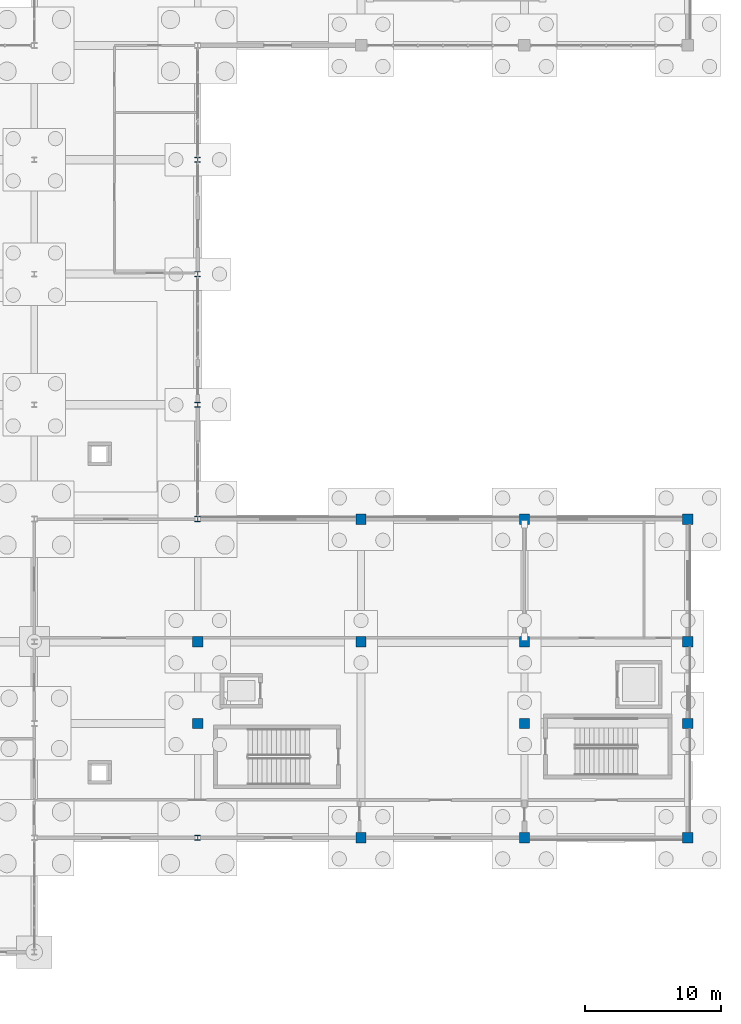
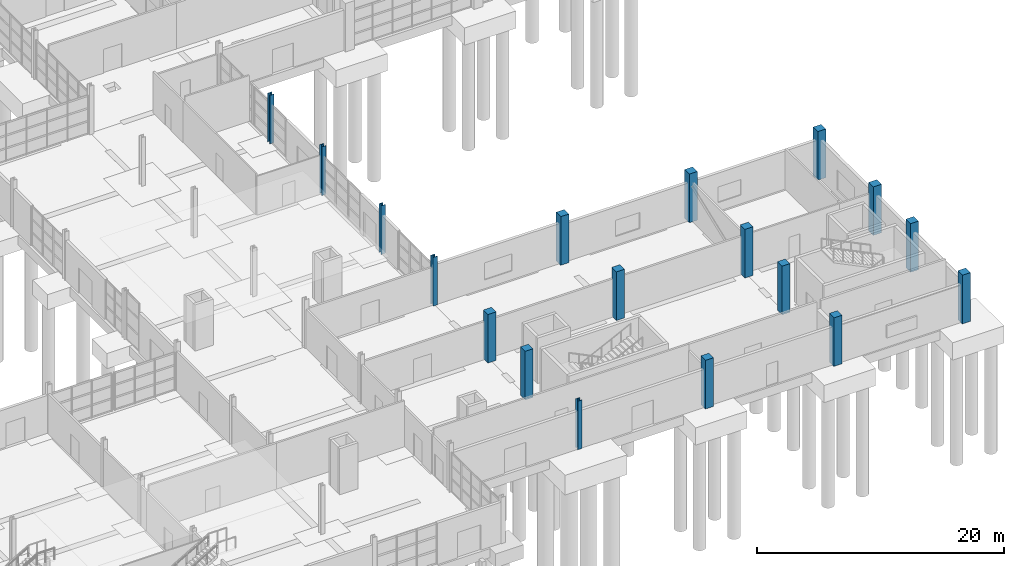
# One storey, part 15 of 82: 18 columns.
"""IFC4 building model written with IfcOpenShell, lengths in metres."""

import ifcopenshell
import ifcopenshell.guid

model = None  # the IFC model being written
_history = None  # IfcOwnerHistory: only IFC2X3 demands one
_inside = {}  # id of a spatial element -> (the spatial element, [elements in it])
_under = {}  # id of a project, library or spatial element -> (it, [spatial elements below it])
_declared = {}  # id of a project -> (the project, [libraries it declares])
_typed = {}  # id of a type object -> (the type object, [elements of that type])
_made_of = {}  # id of a material, layer set ... -> (it, [elements and type objects made of it])


def new_model(schema):
    """Start an empty IFC model of exactly this schema.

    Asked for "IFC4X3", IfcOpenShell would pick the latest addendum, in which some entities
    have other attributes; the version numbers below select the first issue.
    IFC2X3 requires an IfcOwnerHistory on every rooted entity: one is made here for all.
    """
    global model, _history
    if schema == "IFC4X3":
        model = ifcopenshell.file(schema_version=(4, 3, 0, 0))
    else:
        model = ifcopenshell.file(schema=schema)
    _inside.clear()
    _under.clear()
    _declared.clear()
    _typed.clear()
    _made_of.clear()
    _history = None
    if model.schema == "IFC2X3":
        org = make("IfcOrganization", Name="unknown")
        user = make(
            "IfcPersonAndOrganization",
            ThePerson=make("IfcPerson", FamilyName="unknown"),
            TheOrganization=org,
        )
        app = make(
            "IfcApplication",
            ApplicationDeveloper=org,
            Version="unknown",
            ApplicationFullName="unknown",
            ApplicationIdentifier="unknown",
        )
        _history = make(
            "IfcOwnerHistory",
            OwningUser=user,
            OwningApplication=app,
            ChangeAction="ADDED",
            CreationDate=0,
        )
    return model


def make(cls, **values):
    """One entity of the class cls with the attributes given. An attribute that is None is left unset."""
    return model.create_entity(
        cls, **{name: value for name, value in values.items() if value is not None}
    )


def rooted(cls, **values):
    """An entity with a GlobalId (a new one), such as an element, a storey or a relation."""
    return make(cls, GlobalId=ifcopenshell.guid.new(), OwnerHistory=_history, **values)


def si_unit(unit_type, name, prefix=None):
    """IfcSIUnit, for example si_unit("LENGTHUNIT", "METRE", prefix="MILLI")."""
    return make("IfcSIUnit", UnitType=unit_type, Prefix=prefix, Name=name)


def assignment(units):
    """IfcUnitAssignment: the units of a project."""
    return None if units is None else make("IfcUnitAssignment", Units=units)


def point(xyz):
    """IfcCartesianPoint."""
    return None if xyz is None else make("IfcCartesianPoint", Coordinates=xyz)


def direction(xyz):
    """IfcDirection."""
    return None if xyz is None else make("IfcDirection", DirectionRatios=xyz)


def frame(location, z_axis=None, x_axis=None):
    """IfcAxis2Placement3D, a coordinate frame: its origin and axes. An axis left out is left unset."""
    return make(
        "IfcAxis2Placement3D",
        Location=point(location),
        Axis=direction(z_axis),
        RefDirection=direction(x_axis),
    )


def frame_2d(location, x_axis=None):
    """IfcAxis2Placement2D, a coordinate frame in the plane: its origin and x axis."""
    return make(
        "IfcAxis2Placement2D", Location=point(location), RefDirection=direction(x_axis)
    )


def origin():
    """The frame at (0, 0, 0) with its axes left unset."""
    return frame((0.0, 0.0, 0.0))


def origin_2d():
    """The frame at (0, 0) in the plane with its x axis left unset."""
    return frame_2d((0.0, 0.0))


def place(relative_to, where):
    """IfcLocalPlacement: puts the frame where relative to a parent placement (None: the world)."""
    return make(
        "IfcLocalPlacement", PlacementRelTo=relative_to, RelativePlacement=where
    )


def context(
    kind, dimensions, precision=None, world=None, true_north=None, identifier=None
):
    """IfcGeometricRepresentationContext, for example the 3D "Model" context."""
    return make(
        "IfcGeometricRepresentationContext",
        ContextIdentifier=identifier,
        ContextType=kind,
        CoordinateSpaceDimension=dimensions,
        Precision=precision,
        WorldCoordinateSystem=world,
        TrueNorth=true_north,
    )


def subcontext(parent, identifier, kind, view, scale=None):
    """IfcGeometricRepresentationSubContext, for example "Body" below "Model"."""
    return make(
        "IfcGeometricRepresentationSubContext",
        ContextIdentifier=identifier,
        ContextType=kind,
        ParentContext=parent,
        TargetScale=scale,
        TargetView=view,
    )


def project(units=None, contexts=None):
    """IfcProject with its units and contexts."""
    return rooted(
        "IfcProject",
        Name="project",
        RepresentationContexts=contexts,
        UnitsInContext=assignment(units),
    )


def spatial(cls, under=None, at=None, **own):
    """A site, building, storey or space (cls), placed at a placement, below another one or the project."""
    s = rooted(cls, ObjectPlacement=at, **own)
    if under is not None:
        _under.setdefault(under.id(), (under, []))[1].append(s)
    return s


def profile(cls, at=None, kind="AREA", **sizes):
    """A parametric profile (cls). Its sizes go by their IFC names, for example OverallWidth=200.0."""
    return make(cls, ProfileType=kind, Position=at, **sizes)


def rectangle(**sizes):
    """IfcRectangleProfileDef."""
    return profile("IfcRectangleProfileDef", **sizes)


def i_section(**sizes):
    """IfcIShapeProfileDef."""
    return profile("IfcIShapeProfileDef", **sizes)


def extrude(swept, where, along, depth):
    """IfcExtrudedAreaSolid: the profile swept, set in the frame where, extruded along a direction by depth."""
    return make(
        "IfcExtrudedAreaSolid",
        SweptArea=swept,
        Position=where,
        ExtrudedDirection=direction(along),
        Depth=depth,
    )


def shape(context_of_items, identifier, shape_type, items):
    """IfcShapeRepresentation: the items that make up one representation, for example the "Body"."""
    return make(
        "IfcShapeRepresentation",
        ContextOfItems=context_of_items,
        RepresentationIdentifier=identifier,
        RepresentationType=shape_type,
        Items=items,
    )


def material(Name=None, Category=None):
    """IfcMaterial."""
    return make("IfcMaterial", Name=Name, Category=Category)


def material_profile(
    of_material, cross_section, Name=None, Category=None, Priority=None
):
    """IfcMaterialProfile: a cross section and its material."""
    return make(
        "IfcMaterialProfile",
        Name=Name,
        Material=of_material,
        Profile=cross_section,
        Priority=Priority,
        Category=Category,
    )


def profile_set(profiles, Name=None, composite=None):
    """IfcMaterialProfileSet."""
    return make(
        "IfcMaterialProfileSet",
        Name=Name,
        MaterialProfiles=profiles,
        CompositeProfile=composite,
    )


def made_of(thing, what):
    """Note that an element or type object is made of a material, layer set ...; save() writes the relation."""
    if what is not None:
        _made_of.setdefault(what.id(), (what, []))[1].append(thing)
    return thing


def type_object(cls, material=None, **own):
    """A type object (cls), such as IfcWallType, which elements share."""
    return made_of(rooted(cls, **own), material)


def element(
    cls,
    number,
    at=None,
    inside=None,
    cuts=None,
    type_object=None,
    material=None,
    context=None,
    identifier="Body",
    shape_type=None,
    held_by="IfcProductDefinitionShape",
    body=None,
    shapes=None,
    **own,
):
    """One element of the class cls, such as IfcWall. Its Tag is "e" and its number.

    at: its placement. inside: the storey or other place that contains it. cuts: it is an
    opening in that element (IfcRelVoidsElement). A single representation is given by context,
    identifier, shape_type and body (its items); several are given by shapes. held_by: the class
    of the entity that holds the representations. save() writes the other relations.
    """
    e = rooted(cls, Tag="e%d" % number, ObjectPlacement=at, **own)
    if body is not None:
        shapes = [shape(context, identifier, shape_type, body)]
    if shapes is not None:
        e.Representation = make(held_by, Representations=shapes)
    if inside is not None:
        _inside.setdefault(inside.id(), (inside, []))[1].append(e)
    if cuts is not None:
        rooted(
            "IfcRelVoidsElement", RelatingBuildingElement=cuts, RelatedOpeningElement=e
        )
    if type_object is not None:
        _typed.setdefault(type_object.id(), (type_object, []))[1].append(e)
    return made_of(e, material)


def aggregate(whole, parts):
    """IfcRelAggregates: a whole, such as a stair, and the parts it consists of."""
    return rooted("IfcRelAggregates", RelatingObject=whole, RelatedObjects=parts)


def save(model, path):
    """Write the relations noted so far, then the file.

    IfcRelAggregates (storeys below a building ...), IfcRelContainedInSpatialStructure (elements
    in a storey), IfcRelDefinesByType, IfcRelAssociatesMaterial and IfcRelDeclares: one each for
    every whole, place, type object, material and project.
    """
    for whole, parts in _under.values():
        aggregate(whole, parts)
    for where, things in _inside.values():
        rooted(
            "IfcRelContainedInSpatialStructure",
            RelatedElements=things,
            RelatingStructure=where,
        )
    for kind, things in _typed.values():
        rooted("IfcRelDefinesByType", RelatedObjects=things, RelatingType=kind)
    for what, things in _made_of.values():
        rooted("IfcRelAssociatesMaterial", RelatedObjects=things, RelatingMaterial=what)
    for by, libraries in _declared.values():
        rooted("IfcRelDeclares", RelatingContext=by, RelatedDefinitions=libraries)
    model.write(path)


model = new_model("IFC4")

# Units and contexts
model_context = context("Model", 3, precision=1e-05, world=origin(), true_north=direction((0.0, 1.0)))
body_context = subcontext(model_context, "Body", "Model", "MODEL_VIEW")
ifc_project = project(units=[si_unit("LENGTHUNIT", "METRE"), si_unit("AREAUNIT", "SQUARE_METRE"), si_unit("VOLUMEUNIT", "CUBIC_METRE"), si_unit("PLANEANGLEUNIT", "RADIAN"), si_unit("MASSUNIT", "GRAM", prefix="KILO")], contexts=[model_context])

# Site, building, storey
site_placement = place(None, origin())
site = spatial("IfcSite", under=ifc_project, at=site_placement, CompositionType="ELEMENT")
building_placement = place(site_placement, origin())
building = spatial("IfcBuilding", under=site, at=building_placement, Name="Kelmvaro Bay Concert Hall", CompositionType="ELEMENT")
storey_placement = place(building_placement, origin())
storey = spatial("IfcBuildingStorey", under=building, at=storey_placement, Name="L00", CompositionType="ELEMENT", Elevation=0.0)

# Columns
ifc_material_1 = material(Name="Steel ASTM A992 Grade 50", Category="steel")
ifc_material_profile_1 = material_profile(ifc_material_1, i_section(OverallWidth=0.40087890625, OverallDepth=0.39892578125, WebThickness=0.02490234375, FlangeThickness=0.03955078125, at=origin_2d()), Name="W14X211")
ifc_profile_set_1 = profile_set([ifc_material_profile_1], Name="Steel ASTM A992 Grade 50")
column_type_1 = type_object("IfcColumnType", Name="Bridge Anchor Column W14x211", PredefinedType="COLUMN", material=ifc_profile_set_1)
for number, where, z_axis, x_axis, name in (
    (1, (132.0, 15.60009765625, 0.0), (0.0, 0.0, 1.0), (1.0, 0.0, 0.0), "L00 Column V4W-132-156"),
    (2, (132.0, 39.0, 0.0), (0.0, 0.0, 1.0), (1.0, 0.0, 0.0), "L00 Column V4W-132-390"),
):
    element("IfcColumn", number, at=place(storey_placement, frame(where, z_axis=z_axis, x_axis=x_axis)), inside=storey, type_object=column_type_1, Name=name, PredefinedType="COLUMN", context=body_context, shape_type="SweptSolid", body=[
        extrude(i_section(OverallWidth=0.40087890625, OverallDepth=0.39892578125, WebThickness=0.02490234375, FlangeThickness=0.03955078125, at=origin_2d()), origin(), (0.0, 0.0, 1.0), 4.800048828125),
    ])
ifc_material_2 = material(Name="Steel ASTM A992 Grade 50", Category="steel")
ifc_material_profile_2 = material_profile(ifc_material_2, i_section(OverallWidth=0.39599609375, OverallDepth=0.381103515625, WebThickness=0.018798828125, FlangeThickness=0.0302734375, at=origin_2d()), Name="W14X159")
ifc_profile_set_2 = profile_set([ifc_material_profile_2], Name="Steel ASTM A992 Grade 50")
column_type_2 = type_object("IfcColumnType", Name="Foyer Concourse Column W14x159", PredefinedType="COLUMN", material=ifc_profile_set_2)
for number, where, z_axis, x_axis, name in (
    (3, (132.0, 47.39990234375, 0.0), (0.0, 0.0, 1.0), (1.0, 0.0, 0.0), "L00 Column V5E-132-474"),
    (4, (132.0, 57.0, 0.0), (0.0, 0.0, 1.0), (1.0, 0.0, 0.0), "L00 Column V5E-132-570"),
    (5, (132.0, 65.39990234375, 0.0), (0.0, 0.0, 1.0), (1.0, 0.0, 0.0), "L00 Column V5E-132-654"),
):
    element("IfcColumn", number, at=place(storey_placement, frame(where, z_axis=z_axis, x_axis=x_axis)), inside=storey, type_object=column_type_2, Name=name, PredefinedType="COLUMN", context=body_context, shape_type="SweptSolid", body=[
        extrude(i_section(OverallWidth=0.39599609375, OverallDepth=0.381103515625, WebThickness=0.018798828125, FlangeThickness=0.0302734375, at=origin_2d()), origin(), (0.0, 0.0, 1.0), 4.800048828125),
    ])
ifc_material_3 = material(Name="Concrete C40/50", Category="concrete")
ifc_material_profile_3 = material_profile(ifc_material_3, rectangle(XDim=0.75, YDim=0.75, at=origin_2d()), Name="RC-COL-750X750")
ifc_profile_set_3 = profile_set([ifc_material_profile_3], Name="Concrete C40/50")
column_type_3 = type_object("IfcColumnType", Name="Pavilion Column RC750x750", PredefinedType="COLUMN", material=ifc_profile_set_3)
for number, where, z_axis, x_axis, name in (
    (6, (132.0, 24.0, 0.0), (0.0, 0.0, 1.0), (1.0, 0.0, 0.0), "L00 Column V4W-132-240"),
    (7, (132.0, 30.0, 0.0), (0.0, 0.0, 1.0), (1.0, 0.0, 0.0), "L00 Column V4W-132-300"),
    (8, (144.0, 15.60009765625, 0.0), (0.0, 0.0, 1.0), (1.0, 0.0, 0.0), "L00 Column V4P-144-156"),
    (9, (144.0, 30.0, 0.0), (0.0, 0.0, 1.0), (1.0, 0.0, 0.0), "L00 Column V4P-144-300"),
    (10, (144.0, 39.0, 0.0), (0.0, 0.0, 1.0), (1.0, 0.0, 0.0), "L00 Column V4P-144-390"),
    (11, (156.0, 15.60009765625, 0.0), (0.0, 0.0, 1.0), (1.0, 0.0, 0.0), "L00 Column V4P-156-156"),
    (12, (156.0, 24.0, 0.0), (0.0, 0.0, 1.0), (1.0, 0.0, 0.0), "L00 Column V4P-156-240"),
    (13, (156.0, 30.0, 0.0), (0.0, 0.0, 1.0), (1.0, 0.0, 0.0), "L00 Column V4P-156-300"),
    (14, (156.0, 39.0, 0.0), (0.0, 0.0, 1.0), (1.0, 0.0, 0.0), "L00 Column V4P-156-390"),
    (15, (168.0, 15.60009765625, 0.0), (0.0, 0.0, 1.0), (1.0, 0.0, 0.0), "L00 Column V4P-168-156"),
    (16, (168.0, 24.0, 0.0), (0.0, 0.0, 1.0), (1.0, 0.0, 0.0), "L00 Column V4P-168-240"),
    (17, (168.0, 30.0, 0.0), (0.0, 0.0, 1.0), (1.0, 0.0, 0.0), "L00 Column V4P-168-300"),
    (18, (168.0, 39.0, 0.0), (0.0, 0.0, 1.0), (1.0, 0.0, 0.0), "L00 Column V4P-168-390"),
):
    element("IfcColumn", number, at=place(storey_placement, frame(where, z_axis=z_axis, x_axis=x_axis)), inside=storey, type_object=column_type_3, Name=name, PredefinedType="COLUMN", context=body_context, shape_type="SweptSolid", body=[
        extrude(rectangle(XDim=0.75, YDim=0.75, at=origin_2d()), origin(), (0.0, 0.0, 1.0), 4.800048828125),
    ])

save(model, "model.ifc")
